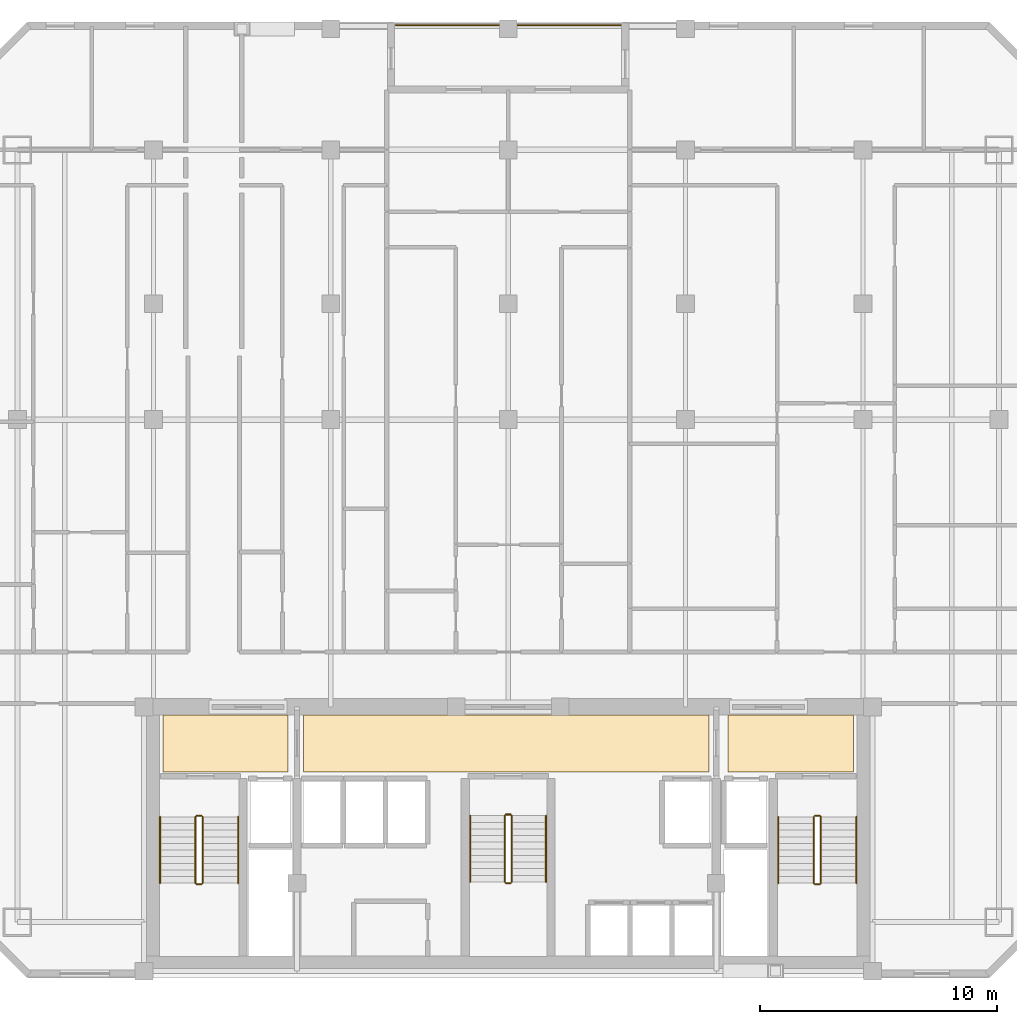
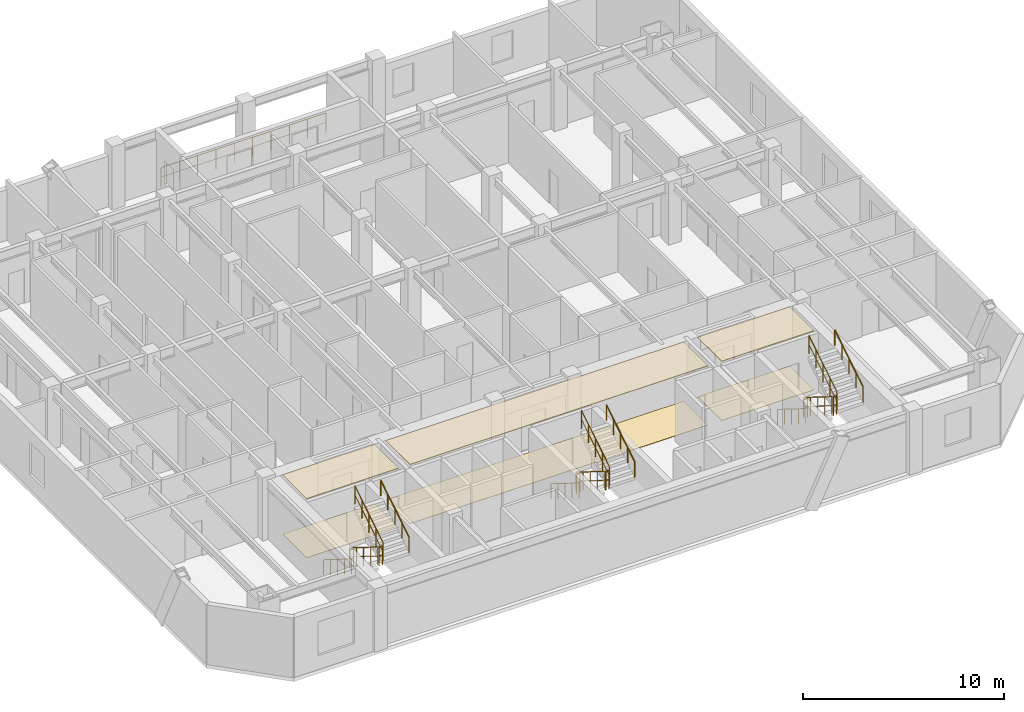
# One storey, part 8 of 8: 19 railings, 6 coverings.
"""IFC4 building model written with IfcOpenShell, lengths in metres."""

from ifc_helpers import new_model, si_unit, direction, frame, origin, origin_2d, place, context, subcontext, project, spatial, polyline, circle, outline, extrude, material, layer, layer_set, type_object, element, save


model = new_model("IFC4")

# Units and contexts
model_context = context("Model", 3, precision=1e-05, world=origin(), true_north=direction((0.0, 1.0)))
body_context = subcontext(model_context, "Body", "Model", "MODEL_VIEW")
ifc_project = project(units=[si_unit("LENGTHUNIT", "METRE"), si_unit("AREAUNIT", "SQUARE_METRE"), si_unit("VOLUMEUNIT", "CUBIC_METRE"), si_unit("PLANEANGLEUNIT", "RADIAN"), si_unit("MASSUNIT", "GRAM", prefix="KILO")], contexts=[model_context])

# Site, building, storey
site_placement = place(None, origin())
site = spatial("IfcSite", under=ifc_project, at=site_placement, CompositionType="ELEMENT")
building_placement = place(site_placement, origin())
building = spatial("IfcBuilding", under=site, at=building_placement, Name="Ventersveld Concourse Tower", CompositionType="ELEMENT")
storey_placement = place(building_placement, frame((0.0, 0.0, 176.0)))
storey = spatial("IfcBuildingStorey", under=building, at=storey_placement, Name="L43", CompositionType="ELEMENT", Elevation=176.0)

# Coverings
ifc_material_1 = material(Name="Mineral-fibre acoustic ceiling tile", Category="gypsum")
ifc_layer_1 = layer(ifc_material_1, 0.0400390625)
ifc_layer_set_1 = layer_set([ifc_layer_1], Name="Mineral-fibre acoustic ceiling tile")
covering_type_1 = type_object("IfcCoveringType", Name="COV-CEIL-ACOUSTIC", PredefinedType="CEILING", material=ifc_layer_set_1)
covering_1_placement = place(storey_placement, frame((0.0, 0.0, 3.590087890625)))
element("IfcCovering", 1, at=covering_1_placement, inside=storey, type_object=covering_type_1, Name="L43 North Lift Lobby Acoustic Ceiling", PredefinedType="CEILING", context=body_context, shape_type="SweptSolid", body=[
    extrude(outline(polyline([(20.10009765625, 8.699951171875), (37.25, 8.699951171875), (37.25, 11.10009765625), (20.10009765625, 11.10009765625), (20.10009765625, 8.699951171875)])), origin(), (0.0, 0.0, 1.0), 0.039794921875),
])
covering_2_placement = place(storey_placement, frame((0.0, 0.0, 3.590087890625)))
element("IfcCovering", 2, at=covering_2_placement, inside=storey, type_object=covering_type_1, Name="L43 West Firefighting Lobby Acoustic Ceiling", PredefinedType="CEILING", context=body_context, shape_type="SweptSolid", body=[
    extrude(outline(polyline([(14.14990234375, 8.699951171875), (19.449951171875, 8.699951171875), (19.449951171875, 11.10009765625), (14.14990234375, 11.10009765625), (14.14990234375, 8.699951171875)])), origin(), (0.0, 0.0, 1.0), 0.039794921875),
])
covering_3_placement = place(storey_placement, frame((0.0, 0.0, 3.590087890625)))
element("IfcCovering", 3, at=covering_3_placement, inside=storey, type_object=covering_type_1, Name="L43 East Firefighting Lobby Acoustic Ceiling", PredefinedType="CEILING", context=body_context, shape_type="SweptSolid", body=[
    extrude(outline(polyline([(38.050048828125, 8.699951171875), (43.35009765625, 8.699951171875), (43.35009765625, 11.10009765625), (38.050048828125, 11.10009765625), (38.050048828125, 8.699951171875)])), origin(), (0.0, 0.0, 1.0), 0.039794921875),
])
ifc_material_2 = material(Name="Polished Highveld granite terrazzo", Category="masonry")
ifc_layer_2 = layer(ifc_material_2, 0.02001953125)
ifc_layer_set_2 = layer_set([ifc_layer_2], Name="Polished Highveld granite terrazzo")
covering_type_2 = type_object("IfcCoveringType", Name="COV-FLOOR-TERRAZZO", PredefinedType="FLOORING", material=ifc_layer_set_2)
covering_4_placement = place(storey_placement, origin())
element("IfcCovering", 4, at=covering_4_placement, inside=storey, type_object=covering_type_2, Name="L43 North Lift Lobby Terrazzo Flooring", PredefinedType="FLOORING", context=body_context, shape_type="SweptSolid", body=[
    extrude(outline(polyline([(20.10009765625, 8.699951171875), (37.25, 8.699951171875), (37.25, 11.10009765625), (20.10009765625, 11.10009765625), (20.10009765625, 8.699951171875)])), origin(), (0.0, 0.0, 1.0), 0.02001953125),
])
covering_5_placement = place(storey_placement, origin())
element("IfcCovering", 5, at=covering_5_placement, inside=storey, type_object=covering_type_2, Name="L43 West Firefighting Lobby Terrazzo Flooring", PredefinedType="FLOORING", context=body_context, shape_type="SweptSolid", body=[
    extrude(outline(polyline([(14.14990234375, 8.699951171875), (19.449951171875, 8.699951171875), (19.449951171875, 11.10009765625), (14.14990234375, 11.10009765625), (14.14990234375, 8.699951171875)])), origin(), (0.0, 0.0, 1.0), 0.02001953125),
])
covering_6_placement = place(storey_placement, origin())
element("IfcCovering", 6, at=covering_6_placement, inside=storey, type_object=covering_type_2, Name="L43 East Firefighting Lobby Terrazzo Flooring", PredefinedType="FLOORING", context=body_context, shape_type="SweptSolid", body=[
    extrude(outline(polyline([(38.050048828125, 8.699951171875), (43.35009765625, 8.699951171875), (43.35009765625, 11.10009765625), (38.050048828125, 11.10009765625), (38.050048828125, 8.699951171875)])), origin(), (0.0, 0.0, 1.0), 0.02001953125),
])

# Railings
ifc_material_3 = material(Name="Brushed stainless steel 316", Category="steel")
railing_type_1 = type_object("IfcRailingType", Name="GD-BAL-115", PredefinedType="GUARDRAIL", material=ifc_material_3)
railing_1_placement = place(storey_placement, frame((15.530029296875, 6.800048828125, 0.175048828125)))
element("IfcRailing", 7, at=railing_1_placement, inside=storey, type_object=railing_type_1, Name="L43 ST-01 stair guard 1", PredefinedType="GUARDRAIL", context=body_context, shape_type="SweptSolid", body=[
    extrude(circle(Radius=0.02392578125, at=origin_2d()), frame((0.0, 0.0, 1.1259765625), z_axis=(0.0, -0.848002457836, 0.529992293815), x_axis=(1.0, 0.0, 0.0)), (0.0, 0.0, 1.0), 3.302001953125),
    extrude(circle(Radius=0.01611328125, at=origin_2d()), frame((0.0, 0.0, 0.574951171875), z_axis=(0.0, -0.848002457836, 0.529992293815), x_axis=(1.0, 0.0, 0.0)), (0.0, 0.0, 1.0), 3.302001953125),
    extrude(circle(Radius=0.02099609375, at=origin_2d()), origin(), (0.0, 0.0, 1.0), 1.101806640625),
    extrude(circle(Radius=0.02099609375, at=origin_2d()), frame((0.0, -0.699951171875, 0.4375)), (0.0, 0.0, 1.0), 1.101806640625),
    extrude(circle(Radius=0.02099609375, at=origin_2d()), frame((0.0, -1.39990234375, 0.875)), (0.0, 0.0, 1.0), 1.101806640625),
    extrude(circle(Radius=0.02099609375, at=origin_2d()), frame((0.0, -2.10009765625, 1.3125)), (0.0, 0.0, 1.0), 1.101806640625),
    extrude(circle(Radius=0.02099609375, at=origin_2d()), frame((0.0, -2.800048828125, 1.75)), (0.0, 0.0, 1.0), 1.101806640625),
])
railing_2_placement = place(storey_placement, frame((15.580078125, 3.949951171875, 1.925048828125)))
element("IfcRailing", 8, at=railing_2_placement, inside=storey, type_object=railing_type_1, Name="L43 ST-01 stair guard 2", PredefinedType="GUARDRAIL", context=body_context, shape_type="SweptSolid", body=[
    extrude(circle(Radius=0.02392578125, at=origin_2d()), frame((0.0, 0.0, 1.1259765625), z_axis=(1.0, 0.0, 0.0), x_axis=(0.0, 1.0, 0.0)), (0.0, 0.0, 1.0), 0.199951171875),
    extrude(circle(Radius=0.01611328125, at=origin_2d()), frame((0.0, 0.0, 0.574951171875), z_axis=(1.0, 0.0, 0.0), x_axis=(0.0, 1.0, 0.0)), (0.0, 0.0, 1.0), 0.199951171875),
    extrude(circle(Radius=0.02099609375, at=origin_2d()), origin(), (0.0, 0.0, 1.0), 1.101806640625),
    extrude(circle(Radius=0.02099609375, at=origin_2d()), frame((0.199951171875, 0.0, 0.0)), (0.0, 0.0, 1.0), 1.101806640625),
])
railing_3_placement = place(storey_placement, frame((15.830078125, 4.0, 2.10009765625)))
element("IfcRailing", 9, at=railing_3_placement, inside=storey, type_object=railing_type_1, Name="L43 ST-01 stair guard 3", PredefinedType="GUARDRAIL", context=body_context, shape_type="SweptSolid", body=[
    extrude(circle(Radius=0.02392578125, at=origin_2d()), frame((0.0, 0.0, 1.1259765625), z_axis=(0.0, 0.848002457836, 0.529992293815), x_axis=(-1.0, 0.0, 0.0)), (0.0, 0.0, 1.0), 3.302001953125),
    extrude(circle(Radius=0.01611328125, at=origin_2d()), frame((0.0, 0.0, 0.574951171875), z_axis=(0.0, 0.848002457836, 0.529992293815), x_axis=(-1.0, 0.0, 0.0)), (0.0, 0.0, 1.0), 3.302001953125),
    extrude(circle(Radius=0.02099609375, at=origin_2d()), origin(), (0.0, 0.0, 1.0), 1.101806640625),
    extrude(circle(Radius=0.02099609375, at=origin_2d()), frame((0.0, 0.699951171875, 0.4375)), (0.0, 0.0, 1.0), 1.101806640625),
    extrude(circle(Radius=0.02099609375, at=origin_2d()), frame((0.0, 1.39990234375, 0.875)), (0.0, 0.0, 1.0), 1.101806640625),
    extrude(circle(Radius=0.02099609375, at=origin_2d()), frame((0.0, 2.10009765625, 1.3125)), (0.0, 0.0, 1.0), 1.101806640625),
    extrude(circle(Radius=0.02099609375, at=origin_2d()), frame((0.0, 2.800048828125, 1.75)), (0.0, 0.0, 1.0), 1.101806640625),
])
railing_4_placement = place(storey_placement, frame((15.580078125, 6.85009765625, 0.0)))
element("IfcRailing", 10, at=railing_4_placement, inside=storey, type_object=railing_type_1, Name="L43 ST-01 stair guard 4", PredefinedType="GUARDRAIL", context=body_context, shape_type="SweptSolid", body=[
    extrude(circle(Radius=0.02392578125, at=origin_2d()), frame((0.0, 0.0, 1.1259765625), z_axis=(1.0, 0.0, 0.0), x_axis=(0.0, 1.0, 0.0)), (0.0, 0.0, 1.0), 0.199951171875),
    extrude(circle(Radius=0.01611328125, at=origin_2d()), frame((0.0, 0.0, 0.574951171875), z_axis=(1.0, 0.0, 0.0), x_axis=(0.0, 1.0, 0.0)), (0.0, 0.0, 1.0), 0.199951171875),
    extrude(circle(Radius=0.02099609375, at=origin_2d()), origin(), (0.0, 0.0, 1.0), 1.101806640625),
    extrude(circle(Radius=0.02099609375, at=origin_2d()), frame((0.199951171875, 0.0, 0.0)), (0.0, 0.0, 1.0), 1.101806640625),
])
railing_5_placement = place(storey_placement, frame((41.669921875, 6.800048828125, 0.175048828125)))
element("IfcRailing", 11, at=railing_5_placement, inside=storey, type_object=railing_type_1, Name="L43 ST-02 stair guard 1", PredefinedType="GUARDRAIL", context=body_context, shape_type="SweptSolid", body=[
    extrude(circle(Radius=0.02392578125, at=origin_2d()), frame((0.0, 0.0, 1.1259765625), z_axis=(0.0, -0.848002457836, 0.529992293815), x_axis=(1.0, 0.0, 0.0)), (0.0, 0.0, 1.0), 3.302001953125),
    extrude(circle(Radius=0.01611328125, at=origin_2d()), frame((0.0, 0.0, 0.574951171875), z_axis=(0.0, -0.848002457836, 0.529992293815), x_axis=(1.0, 0.0, 0.0)), (0.0, 0.0, 1.0), 3.302001953125),
    extrude(circle(Radius=0.02099609375, at=origin_2d()), origin(), (0.0, 0.0, 1.0), 1.101806640625),
    extrude(circle(Radius=0.02099609375, at=origin_2d()), frame((0.0, -0.699951171875, 0.4375)), (0.0, 0.0, 1.0), 1.101806640625),
    extrude(circle(Radius=0.02099609375, at=origin_2d()), frame((0.0, -1.39990234375, 0.875)), (0.0, 0.0, 1.0), 1.101806640625),
    extrude(circle(Radius=0.02099609375, at=origin_2d()), frame((0.0, -2.10009765625, 1.3125)), (0.0, 0.0, 1.0), 1.101806640625),
    extrude(circle(Radius=0.02099609375, at=origin_2d()), frame((0.0, -2.800048828125, 1.75)), (0.0, 0.0, 1.0), 1.101806640625),
])
railing_6_placement = place(storey_placement, frame((41.719970703125, 3.949951171875, 1.925048828125)))
element("IfcRailing", 12, at=railing_6_placement, inside=storey, type_object=railing_type_1, Name="L43 ST-02 stair guard 2", PredefinedType="GUARDRAIL", context=body_context, shape_type="SweptSolid", body=[
    extrude(circle(Radius=0.02392578125, at=origin_2d()), frame((0.0, 0.0, 1.1259765625), z_axis=(1.0, 0.0, 0.0), x_axis=(0.0, 1.0, 0.0)), (0.0, 0.0, 1.0), 0.199951171875),
    extrude(circle(Radius=0.01611328125, at=origin_2d()), frame((0.0, 0.0, 0.574951171875), z_axis=(1.0, 0.0, 0.0), x_axis=(0.0, 1.0, 0.0)), (0.0, 0.0, 1.0), 0.199951171875),
    extrude(circle(Radius=0.02099609375, at=origin_2d()), origin(), (0.0, 0.0, 1.0), 1.101806640625),
    extrude(circle(Radius=0.02099609375, at=origin_2d()), frame((0.199951171875, 0.0, 0.0)), (0.0, 0.0, 1.0), 1.101806640625),
])
railing_7_placement = place(storey_placement, frame((41.969970703125, 4.0, 2.10009765625)))
element("IfcRailing", 13, at=railing_7_placement, inside=storey, type_object=railing_type_1, Name="L43 ST-02 stair guard 3", PredefinedType="GUARDRAIL", context=body_context, shape_type="SweptSolid", body=[
    extrude(circle(Radius=0.02392578125, at=origin_2d()), frame((0.0, 0.0, 1.1259765625), z_axis=(0.0, 0.848002457836, 0.529992293815), x_axis=(-1.0, 0.0, 0.0)), (0.0, 0.0, 1.0), 3.302001953125),
    extrude(circle(Radius=0.01611328125, at=origin_2d()), frame((0.0, 0.0, 0.574951171875), z_axis=(0.0, 0.848002457836, 0.529992293815), x_axis=(-1.0, 0.0, 0.0)), (0.0, 0.0, 1.0), 3.302001953125),
    extrude(circle(Radius=0.02099609375, at=origin_2d()), origin(), (0.0, 0.0, 1.0), 1.101806640625),
    extrude(circle(Radius=0.02099609375, at=origin_2d()), frame((0.0, 0.699951171875, 0.4375)), (0.0, 0.0, 1.0), 1.101806640625),
    extrude(circle(Radius=0.02099609375, at=origin_2d()), frame((0.0, 1.39990234375, 0.875)), (0.0, 0.0, 1.0), 1.101806640625),
    extrude(circle(Radius=0.02099609375, at=origin_2d()), frame((0.0, 2.10009765625, 1.3125)), (0.0, 0.0, 1.0), 1.101806640625),
    extrude(circle(Radius=0.02099609375, at=origin_2d()), frame((0.0, 2.800048828125, 1.75)), (0.0, 0.0, 1.0), 1.101806640625),
])
railing_8_placement = place(storey_placement, frame((41.719970703125, 6.85009765625, 0.0)))
element("IfcRailing", 14, at=railing_8_placement, inside=storey, type_object=railing_type_1, Name="L43 ST-02 stair guard 4", PredefinedType="GUARDRAIL", context=body_context, shape_type="SweptSolid", body=[
    extrude(circle(Radius=0.02392578125, at=origin_2d()), frame((0.0, 0.0, 1.1259765625), z_axis=(1.0, 0.0, 0.0), x_axis=(0.0, 1.0, 0.0)), (0.0, 0.0, 1.0), 0.199951171875),
    extrude(circle(Radius=0.01611328125, at=origin_2d()), frame((0.0, 0.0, 0.574951171875), z_axis=(1.0, 0.0, 0.0), x_axis=(0.0, 1.0, 0.0)), (0.0, 0.0, 1.0), 0.199951171875),
    extrude(circle(Radius=0.02099609375, at=origin_2d()), origin(), (0.0, 0.0, 1.0), 1.101806640625),
    extrude(circle(Radius=0.02099609375, at=origin_2d()), frame((0.199951171875, 0.0, 0.0)), (0.0, 0.0, 1.0), 1.101806640625),
])
railing_9_placement = place(storey_placement, frame((28.60009765625, 6.85009765625, 0.175048828125)))
element("IfcRailing", 15, at=railing_9_placement, inside=storey, type_object=railing_type_1, Name="L43 ST-03 stair guard 1", PredefinedType="GUARDRAIL", context=body_context, shape_type="SweptSolid", body=[
    extrude(circle(Radius=0.02392578125, at=origin_2d()), frame((0.0, 0.0, 1.1259765625), z_axis=(0.0, -0.848002457836, 0.529992293815), x_axis=(1.0, 0.0, 0.0)), (0.0, 0.0, 1.0), 3.302001953125),
    extrude(circle(Radius=0.01611328125, at=origin_2d()), frame((0.0, 0.0, 0.574951171875), z_axis=(0.0, -0.848002457836, 0.529992293815), x_axis=(1.0, 0.0, 0.0)), (0.0, 0.0, 1.0), 3.302001953125),
    extrude(circle(Radius=0.02099609375, at=origin_2d()), origin(), (0.0, 0.0, 1.0), 1.101806640625),
    extrude(circle(Radius=0.02099609375, at=origin_2d()), frame((0.0, -0.699951171875, 0.4375)), (0.0, 0.0, 1.0), 1.101806640625),
    extrude(circle(Radius=0.02099609375, at=origin_2d()), frame((0.0, -1.39990234375, 0.875)), (0.0, 0.0, 1.0), 1.101806640625),
    extrude(circle(Radius=0.02099609375, at=origin_2d()), frame((0.0, -2.10009765625, 1.3125)), (0.0, 0.0, 1.0), 1.101806640625),
    extrude(circle(Radius=0.02099609375, at=origin_2d()), frame((0.0, -2.800048828125, 1.75)), (0.0, 0.0, 1.0), 1.101806640625),
])
railing_10_placement = place(storey_placement, frame((28.64990234375, 4.0, 1.925048828125)))
element("IfcRailing", 16, at=railing_10_placement, inside=storey, type_object=railing_type_1, Name="L43 ST-03 stair guard 2", PredefinedType="GUARDRAIL", context=body_context, shape_type="SweptSolid", body=[
    extrude(circle(Radius=0.02392578125, at=origin_2d()), frame((0.0, 0.0, 1.1259765625), z_axis=(1.0, 0.0, 0.0), x_axis=(0.0, 1.0, 0.0)), (0.0, 0.0, 1.0), 0.2001953125),
    extrude(circle(Radius=0.01611328125, at=origin_2d()), frame((0.0, 0.0, 0.574951171875), z_axis=(1.0, 0.0, 0.0), x_axis=(0.0, 1.0, 0.0)), (0.0, 0.0, 1.0), 0.2001953125),
    extrude(circle(Radius=0.02099609375, at=origin_2d()), origin(), (0.0, 0.0, 1.0), 1.101806640625),
    extrude(circle(Radius=0.02099609375, at=origin_2d()), frame((0.2001953125, 0.0, 0.0)), (0.0, 0.0, 1.0), 1.101806640625),
])
railing_11_placement = place(storey_placement, frame((28.89990234375, 4.050048828125, 2.10009765625)))
element("IfcRailing", 17, at=railing_11_placement, inside=storey, type_object=railing_type_1, Name="L43 ST-03 stair guard 3", PredefinedType="GUARDRAIL", context=body_context, shape_type="SweptSolid", body=[
    extrude(circle(Radius=0.02392578125, at=origin_2d()), frame((0.0, 0.0, 1.1259765625), z_axis=(0.0, 0.848002457836, 0.529992293815), x_axis=(-1.0, 0.0, 0.0)), (0.0, 0.0, 1.0), 3.302001953125),
    extrude(circle(Radius=0.01611328125, at=origin_2d()), frame((0.0, 0.0, 0.574951171875), z_axis=(0.0, 0.848002457836, 0.529992293815), x_axis=(-1.0, 0.0, 0.0)), (0.0, 0.0, 1.0), 3.302001953125),
    extrude(circle(Radius=0.02099609375, at=origin_2d()), origin(), (0.0, 0.0, 1.0), 1.101806640625),
    extrude(circle(Radius=0.02099609375, at=origin_2d()), frame((0.0, 0.699951171875, 0.4375)), (0.0, 0.0, 1.0), 1.101806640625),
    extrude(circle(Radius=0.02099609375, at=origin_2d()), frame((0.0, 1.39990234375, 0.875)), (0.0, 0.0, 1.0), 1.101806640625),
    extrude(circle(Radius=0.02099609375, at=origin_2d()), frame((0.0, 2.10009765625, 1.3125)), (0.0, 0.0, 1.0), 1.101806640625),
    extrude(circle(Radius=0.02099609375, at=origin_2d()), frame((0.0, 2.800048828125, 1.75)), (0.0, 0.0, 1.0), 1.101806640625),
])
railing_12_placement = place(storey_placement, frame((28.64990234375, 6.89990234375, 0.0)))
element("IfcRailing", 18, at=railing_12_placement, inside=storey, type_object=railing_type_1, Name="L43 ST-03 stair guard 4", PredefinedType="GUARDRAIL", context=body_context, shape_type="SweptSolid", body=[
    extrude(circle(Radius=0.02392578125, at=origin_2d()), frame((0.0, 0.0, 1.1259765625), z_axis=(1.0, 0.0, 0.0), x_axis=(0.0, 1.0, 0.0)), (0.0, 0.0, 1.0), 0.2001953125),
    extrude(circle(Radius=0.01611328125, at=origin_2d()), frame((0.0, 0.0, 0.574951171875), z_axis=(1.0, 0.0, 0.0), x_axis=(0.0, 1.0, 0.0)), (0.0, 0.0, 1.0), 0.2001953125),
    extrude(circle(Radius=0.02099609375, at=origin_2d()), origin(), (0.0, 0.0, 1.0), 1.101806640625),
    extrude(circle(Radius=0.02099609375, at=origin_2d()), frame((0.2001953125, 0.0, 0.0)), (0.0, 0.0, 1.0), 1.101806640625),
])
railing_type_2 = type_object("IfcRailingType", Name="GD-TER-120", PredefinedType="GUARDRAIL", material=ifc_material_3)
railing_13_placement = place(storey_placement, frame((24.0, 40.280029296875, 0.0)))
element("IfcRailing", 19, at=railing_13_placement, inside=storey, type_object=railing_type_2, Name="L43 Outdoor Terrace Guardrail NOTCH-N", PredefinedType="GUARDRAIL", context=body_context, shape_type="SweptSolid", body=[
    extrude(circle(Radius=0.02392578125, at=origin_2d()), frame((0.0, 0.0, 1.17578125), z_axis=(1.0, 0.0, 0.0), x_axis=(0.0, 1.0, 0.0)), (0.0, 0.0, 1.0), 9.5),
    extrude(circle(Radius=0.01611328125, at=origin_2d()), frame((0.0, 0.0, 0.60009765625), z_axis=(1.0, 0.0, 0.0), x_axis=(0.0, 1.0, 0.0)), (0.0, 0.0, 1.0), 9.5),
    extrude(circle(Radius=0.02099609375, at=origin_2d()), origin(), (0.0, 0.0, 1.0), 1.15185546875),
    extrude(circle(Radius=0.02099609375, at=origin_2d()), frame((1.0556640625, 0.0, 0.0)), (0.0, 0.0, 1.0), 1.15185546875),
    extrude(circle(Radius=0.02099609375, at=origin_2d()), frame((2.111083984375, 0.0, 0.0)), (0.0, 0.0, 1.0), 1.15185546875),
    extrude(circle(Radius=0.02099609375, at=origin_2d()), frame((3.166748046875, 0.0, 0.0)), (0.0, 0.0, 1.0), 1.15185546875),
    extrude(circle(Radius=0.02099609375, at=origin_2d()), frame((4.22216796875, 0.0, 0.0)), (0.0, 0.0, 1.0), 1.15185546875),
    extrude(circle(Radius=0.02099609375, at=origin_2d()), frame((5.27783203125, 0.0, 0.0)), (0.0, 0.0, 1.0), 1.15185546875),
    extrude(circle(Radius=0.02099609375, at=origin_2d()), frame((6.333251953125, 0.0, 0.0)), (0.0, 0.0, 1.0), 1.15185546875),
    extrude(circle(Radius=0.02099609375, at=origin_2d()), frame((7.388916015625, 0.0, 0.0)), (0.0, 0.0, 1.0), 1.15185546875),
    extrude(circle(Radius=0.02099609375, at=origin_2d()), frame((8.4443359375, 0.0, 0.0)), (0.0, 0.0, 1.0), 1.15185546875),
    extrude(circle(Radius=0.02099609375, at=origin_2d()), frame((9.5, 0.0, 0.0)), (0.0, 0.0, 1.0), 1.15185546875),
])
railing_type_3 = type_object("IfcRailingType", Name="HR-RMP-095", PredefinedType="HANDRAIL", material=ifc_material_3)
railing_14_placement = place(storey_placement, frame((14.030029296875, 6.800048828125, 0.175048828125)))
element("IfcRailing", 20, at=railing_14_placement, inside=storey, type_object=railing_type_3, Name="L43 ST-01 stair handrail 1", PredefinedType="HANDRAIL", context=body_context, shape_type="SweptSolid", body=[
    extrude(circle(Radius=0.02392578125, at=origin_2d()), frame((0.0, 0.0, 0.92578125), z_axis=(0.0, -0.848002457836, 0.529992293815), x_axis=(1.0, 0.0, 0.0)), (0.0, 0.0, 1.0), 3.302001953125),
    extrude(circle(Radius=0.02099609375, at=origin_2d()), origin(), (0.0, 0.0, 1.0), 0.90185546875),
    extrude(circle(Radius=0.02099609375, at=origin_2d()), frame((0.0, -0.699951171875, 0.4375)), (0.0, 0.0, 1.0), 0.90185546875),
    extrude(circle(Radius=0.02099609375, at=origin_2d()), frame((0.0, -1.39990234375, 0.875)), (0.0, 0.0, 1.0), 0.90185546875),
    extrude(circle(Radius=0.02099609375, at=origin_2d()), frame((0.0, -2.10009765625, 1.3125)), (0.0, 0.0, 1.0), 0.90185546875),
    extrude(circle(Radius=0.02099609375, at=origin_2d()), frame((0.0, -2.800048828125, 1.75)), (0.0, 0.0, 1.0), 0.90185546875),
])
railing_15_placement = place(storey_placement, frame((17.330078125, 4.0, 2.10009765625)))
element("IfcRailing", 21, at=railing_15_placement, inside=storey, type_object=railing_type_3, Name="L43 ST-01 stair handrail 2", PredefinedType="HANDRAIL", context=body_context, shape_type="SweptSolid", body=[
    extrude(circle(Radius=0.02392578125, at=origin_2d()), frame((0.0, 0.0, 0.92578125), z_axis=(0.0, 0.848002457836, 0.529992293815), x_axis=(-1.0, 0.0, 0.0)), (0.0, 0.0, 1.0), 3.302001953125),
    extrude(circle(Radius=0.02099609375, at=origin_2d()), origin(), (0.0, 0.0, 1.0), 0.90185546875),
    extrude(circle(Radius=0.02099609375, at=origin_2d()), frame((0.0, 0.699951171875, 0.4375)), (0.0, 0.0, 1.0), 0.90185546875),
    extrude(circle(Radius=0.02099609375, at=origin_2d()), frame((0.0, 1.39990234375, 0.875)), (0.0, 0.0, 1.0), 0.90185546875),
    extrude(circle(Radius=0.02099609375, at=origin_2d()), frame((0.0, 2.10009765625, 1.3125)), (0.0, 0.0, 1.0), 0.90185546875),
    extrude(circle(Radius=0.02099609375, at=origin_2d()), frame((0.0, 2.800048828125, 1.75)), (0.0, 0.0, 1.0), 0.90185546875),
])
railing_16_placement = place(storey_placement, frame((40.169921875, 6.800048828125, 0.175048828125)))
element("IfcRailing", 22, at=railing_16_placement, inside=storey, type_object=railing_type_3, Name="L43 ST-02 stair handrail 1", PredefinedType="HANDRAIL", context=body_context, shape_type="SweptSolid", body=[
    extrude(circle(Radius=0.02392578125, at=origin_2d()), frame((0.0, 0.0, 0.92578125), z_axis=(0.0, -0.848002457836, 0.529992293815), x_axis=(1.0, 0.0, 0.0)), (0.0, 0.0, 1.0), 3.302001953125),
    extrude(circle(Radius=0.02099609375, at=origin_2d()), origin(), (0.0, 0.0, 1.0), 0.90185546875),
    extrude(circle(Radius=0.02099609375, at=origin_2d()), frame((0.0, -0.699951171875, 0.4375)), (0.0, 0.0, 1.0), 0.90185546875),
    extrude(circle(Radius=0.02099609375, at=origin_2d()), frame((0.0, -1.39990234375, 0.875)), (0.0, 0.0, 1.0), 0.90185546875),
    extrude(circle(Radius=0.02099609375, at=origin_2d()), frame((0.0, -2.10009765625, 1.3125)), (0.0, 0.0, 1.0), 0.90185546875),
    extrude(circle(Radius=0.02099609375, at=origin_2d()), frame((0.0, -2.800048828125, 1.75)), (0.0, 0.0, 1.0), 0.90185546875),
])
railing_17_placement = place(storey_placement, frame((43.469970703125, 4.0, 2.10009765625)))
element("IfcRailing", 23, at=railing_17_placement, inside=storey, type_object=railing_type_3, Name="L43 ST-02 stair handrail 2", PredefinedType="HANDRAIL", context=body_context, shape_type="SweptSolid", body=[
    extrude(circle(Radius=0.02392578125, at=origin_2d()), frame((0.0, 0.0, 0.92578125), z_axis=(0.0, 0.848002457836, 0.529992293815), x_axis=(-1.0, 0.0, 0.0)), (0.0, 0.0, 1.0), 3.302001953125),
    extrude(circle(Radius=0.02099609375, at=origin_2d()), origin(), (0.0, 0.0, 1.0), 0.90185546875),
    extrude(circle(Radius=0.02099609375, at=origin_2d()), frame((0.0, 0.699951171875, 0.4375)), (0.0, 0.0, 1.0), 0.90185546875),
    extrude(circle(Radius=0.02099609375, at=origin_2d()), frame((0.0, 1.39990234375, 0.875)), (0.0, 0.0, 1.0), 0.90185546875),
    extrude(circle(Radius=0.02099609375, at=origin_2d()), frame((0.0, 2.10009765625, 1.3125)), (0.0, 0.0, 1.0), 0.90185546875),
    extrude(circle(Radius=0.02099609375, at=origin_2d()), frame((0.0, 2.800048828125, 1.75)), (0.0, 0.0, 1.0), 0.90185546875),
])
railing_18_placement = place(storey_placement, frame((27.14990234375, 6.85009765625, 0.175048828125)))
element("IfcRailing", 24, at=railing_18_placement, inside=storey, type_object=railing_type_3, Name="L43 ST-03 stair handrail 1", PredefinedType="HANDRAIL", context=body_context, shape_type="SweptSolid", body=[
    extrude(circle(Radius=0.02392578125, at=origin_2d()), frame((0.0, 0.0, 0.92578125), z_axis=(0.0, -0.848002457836, 0.529992293815), x_axis=(1.0, 0.0, 0.0)), (0.0, 0.0, 1.0), 3.302001953125),
    extrude(circle(Radius=0.02099609375, at=origin_2d()), origin(), (0.0, 0.0, 1.0), 0.90185546875),
    extrude(circle(Radius=0.02099609375, at=origin_2d()), frame((0.0, -0.699951171875, 0.4375)), (0.0, 0.0, 1.0), 0.90185546875),
    extrude(circle(Radius=0.02099609375, at=origin_2d()), frame((0.0, -1.39990234375, 0.875)), (0.0, 0.0, 1.0), 0.90185546875),
    extrude(circle(Radius=0.02099609375, at=origin_2d()), frame((0.0, -2.10009765625, 1.3125)), (0.0, 0.0, 1.0), 0.90185546875),
    extrude(circle(Radius=0.02099609375, at=origin_2d()), frame((0.0, -2.800048828125, 1.75)), (0.0, 0.0, 1.0), 0.90185546875),
])
railing_19_placement = place(storey_placement, frame((30.35009765625, 4.050048828125, 2.10009765625)))
element("IfcRailing", 25, at=railing_19_placement, inside=storey, type_object=railing_type_3, Name="L43 ST-03 stair handrail 2", PredefinedType="HANDRAIL", context=body_context, shape_type="SweptSolid", body=[
    extrude(circle(Radius=0.02392578125, at=origin_2d()), frame((0.0, 0.0, 0.92578125), z_axis=(0.0, 0.848002457836, 0.529992293815), x_axis=(-1.0, 0.0, 0.0)), (0.0, 0.0, 1.0), 3.302001953125),
    extrude(circle(Radius=0.02099609375, at=origin_2d()), origin(), (0.0, 0.0, 1.0), 0.90185546875),
    extrude(circle(Radius=0.02099609375, at=origin_2d()), frame((0.0, 0.699951171875, 0.4375)), (0.0, 0.0, 1.0), 0.90185546875),
    extrude(circle(Radius=0.02099609375, at=origin_2d()), frame((0.0, 1.39990234375, 0.875)), (0.0, 0.0, 1.0), 0.90185546875),
    extrude(circle(Radius=0.02099609375, at=origin_2d()), frame((0.0, 2.10009765625, 1.3125)), (0.0, 0.0, 1.0), 0.90185546875),
    extrude(circle(Radius=0.02099609375, at=origin_2d()), frame((0.0, 2.800048828125, 1.75)), (0.0, 0.0, 1.0), 0.90185546875),
])

save(model, "model.ifc")
